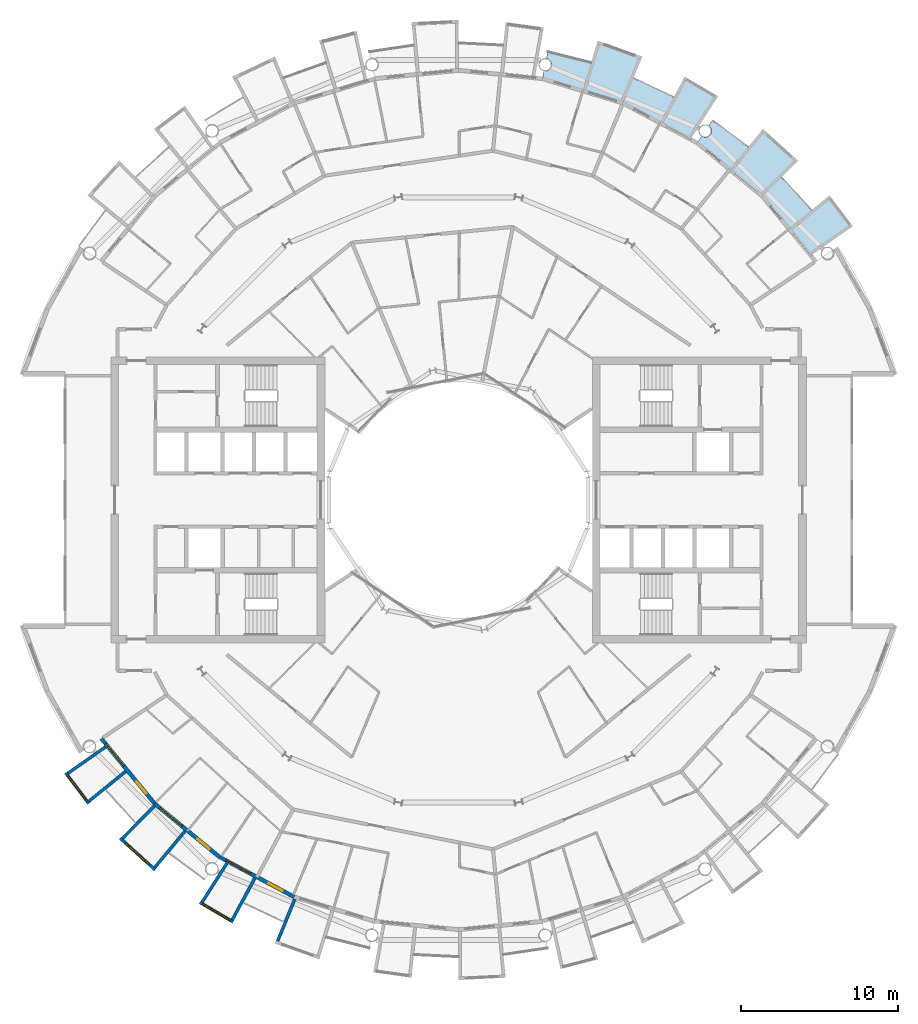
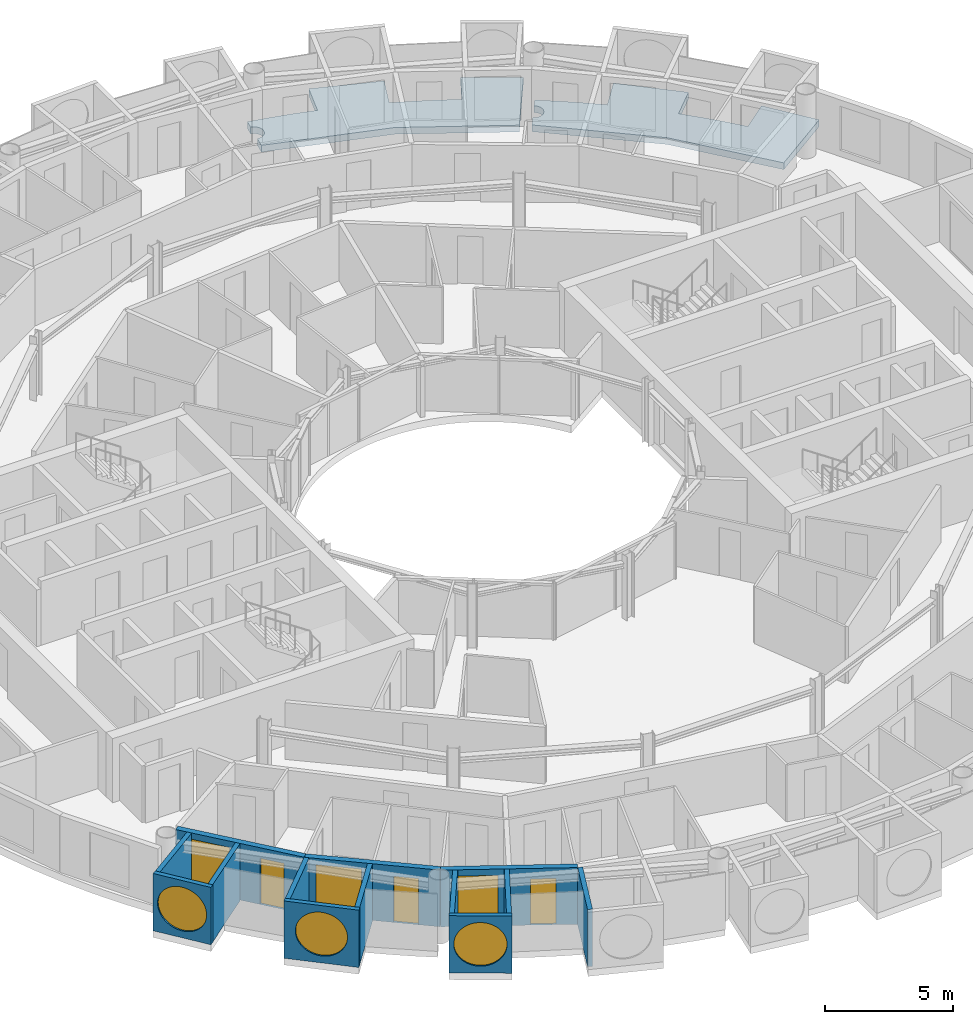
# One storey, part 13 of 27: 13 walls, 6 windows, 3 doors, 2 slabs, 9 openings.
"""IFC4 building model written with IfcOpenShell, lengths in metres."""

from ifc_helpers import new_model, si_unit, direction, frame, frame_2d, origin, place, context, subcontext, project, spatial, polyline, rectangle, circle, outline, extrude, material, layer, layer_set, type_object, element, fill, save


model = new_model("IFC4")

# Units and contexts
model_context = context("Model", 3, precision=1e-05, world=origin(), true_north=direction((0.0, 1.0)))
body_context = subcontext(model_context, "Body", "Model", "MODEL_VIEW")
ifc_project = project(units=[si_unit("LENGTHUNIT", "METRE"), si_unit("AREAUNIT", "SQUARE_METRE"), si_unit("VOLUMEUNIT", "CUBIC_METRE"), si_unit("PLANEANGLEUNIT", "RADIAN"), si_unit("MASSUNIT", "GRAM", prefix="KILO")], contexts=[model_context])

# Site, building, storey
site_placement = place(None, origin())
site = spatial("IfcSite", under=ifc_project, at=site_placement, CompositionType="ELEMENT")
building_placement = place(site_placement, origin())
building = spatial("IfcBuilding", under=site, at=building_placement, Name="Maasbend Ring Residences", CompositionType="ELEMENT")
storey_placement = place(building_placement, frame((0.0, 0.0, 145.199951171875)))
storey = spatial("IfcBuildingStorey", under=building, at=storey_placement, Name="L41", CompositionType="ELEMENT", Elevation=145.199951171875)

# Slabs
ifc_material_1 = material(Name="Concrete C40/50", Category="concrete")
ifc_layer_1 = layer(ifc_material_1, 0.199951171875)
ifc_layer_set_1 = layer_set([ifc_layer_1], Name="Concrete C40/50")
slab_type = type_object("IfcSlabType", Name="SL-LOGGIA", PredefinedType="FLOOR", material=ifc_layer_set_1)
slab_1_placement = place(storey_placement, frame((0.0, 0.0, -0.349853515625)))
element("IfcSlab", 1, at=slab_1_placement, inside=storey, type_object=slab_type, Name="Loggia floor 2", PredefinedType="FLOOR", context=body_context, shape_type="SweptSolid", body=[
    extrude(outline(polyline([(5.451904296875, 27.2548828125), (5.4619140625, 27.25390625), (5.471923828125, 27.2529296875), (5.48193359375, 27.251953125), (5.491943359375, 27.251953125), (5.501953125, 27.251953125), (5.510986328125, 27.251953125), (5.52099609375, 27.251953125), (5.531005859375, 27.2529296875), (5.541015625, 27.25390625), (5.551025390625, 27.2548828125), (5.56103515625, 27.256103515625), (5.571044921875, 27.258056640625), (5.5810546875, 27.259033203125), (5.591064453125, 27.260986328125), (5.60009765625, 27.263916015625), (5.610107421875, 27.26611328125), (5.6201171875, 27.26904296875), (5.62890625, 27.27197265625), (5.637939453125, 27.27490234375), (5.64794921875, 27.279052734375), (5.656982421875, 27.282958984375), (5.666015625, 27.285888671875), (5.675048828125, 27.291015625), (5.68408203125, 27.294921875), (5.693115234375, 27.300048828125), (5.701904296875, 27.303955078125), (5.7099609375, 27.30908203125), (5.718994140625, 27.31494140625), (5.72705078125, 27.320068359375), (5.736083984375, 27.325927734375), (5.743896484375, 27.33203125), (5.751953125, 27.337890625), (5.759033203125, 27.343994140625), (5.76708984375, 27.35009765625), (5.77392578125, 27.35693359375), (5.781982421875, 27.364013671875), (5.7890625, 27.37109375), (5.7958984375, 27.3779296875), (5.802978515625, 27.385009765625), (5.80908203125, 27.39306640625), (5.81591796875, 27.39990234375), (5.822021484375, 27.407958984375), (5.827880859375, 27.416015625), (5.833984375, 27.424072265625), (5.839111328125, 27.431884765625), (5.844970703125, 27.44091796875), (5.85009765625, 27.448974609375), (5.85498046875, 27.4580078125), (5.860107421875, 27.466064453125), (5.864990234375, 27.47509765625), (5.868896484375, 27.48388671875), (5.873046875, 27.492919921875), (5.876953125, 27.5029296875), (5.881103515625, 27.511962890625), (5.884033203125, 27.52099609375), (5.886962890625, 27.531005859375), (5.889892578125, 27.5400390625), (5.89306640625, 27.550048828125), (5.89599609375, 27.55908203125), (5.89794921875, 27.569091796875), (5.89990234375, 27.5791015625), (5.902099609375, 27.589111328125), (5.904052734375, 27.597900390625), (5.905029296875, 27.60791015625), (5.906005859375, 27.617919921875), (5.906982421875, 27.6279296875), (5.907958984375, 27.637939453125), (5.907958984375, 27.64794921875), (5.907958984375, 27.657958984375), (5.907958984375, 27.66796875), (5.907958984375, 27.677978515625), (5.906982421875, 27.68798828125), (5.906005859375, 27.697998046875), (5.905029296875, 27.7080078125), (5.904052734375, 27.718017578125), (5.902099609375, 27.72802734375), (5.89990234375, 27.737060546875), (5.89794921875, 27.7470703125), (5.89599609375, 27.757080078125), (5.89306640625, 27.76708984375), (5.889892578125, 27.77587890625), (5.886962890625, 27.785888671875), (5.884033203125, 27.794921875), (5.881103515625, 27.803955078125), (5.876953125, 27.81396484375), (5.873046875, 27.822998046875), (5.868896484375, 27.83203125), (5.864990234375, 27.841064453125), (5.860107421875, 27.85009765625), (5.85498046875, 27.85791015625), (5.85009765625, 27.866943359375), (5.844970703125, 27.8759765625), (5.839111328125, 27.884033203125), (5.833984375, 27.89208984375), (5.827880859375, 27.89990234375), (5.822021484375, 27.907958984375), (5.81591796875, 27.916015625), (5.80908203125, 27.924072265625), (5.802978515625, 27.930908203125), (5.7958984375, 27.93798828125), (5.7890625, 27.946044921875), (5.781982421875, 27.952880859375), (5.77392578125, 27.958984375), (5.76708984375, 27.966064453125), (5.759033203125, 27.971923828125), (5.751953125, 27.97900390625), (5.743896484375, 27.985107421875), (5.736083984375, 27.989990234375), (5.72705078125, 27.99609375), (5.718994140625, 28.001953125), (5.7099609375, 28.007080078125), (5.701904296875, 28.011962890625), (5.693115234375, 28.01708984375), (5.68408203125, 28.02099609375), (5.675048828125, 28.02587890625), (5.666015625, 28.030029296875), (5.656982421875, 28.033935546875), (5.64794921875, 28.037109375), (5.637939453125, 28.041015625), (5.62890625, 28.0439453125), (5.6201171875, 28.047119140625), (5.610107421875, 28.050048828125), (5.60009765625, 28.052001953125), (5.591064453125, 28.054931640625), (5.5810546875, 28.056884765625), (5.657958984375, 28.443115234375), (5.657958984375, 28.443115234375), (5.657958984375, 28.443115234375), (6.5849609375, 28.241943359375), (6.5849609375, 28.241943359375), (7.506103515625, 28.011962890625), (7.506103515625, 28.011962890625), (8.41796875, 27.7509765625), (8.41796875, 27.7509765625), (8.41796875, 27.7509765625), (8.41796875, 27.7509765625), (8.41796875, 27.7509765625), (8.41796875, 27.7509765625), (8.41796875, 27.7509765625), (8.41796875, 27.7509765625), (8.41796875, 27.7509765625), (8.41796875, 27.7509765625), (8.41796875, 27.751953125), (8.41796875, 27.751953125), (8.41796875, 27.751953125), (8.41796875, 27.751953125), (8.41796875, 27.751953125), (8.41796875, 27.751953125), (8.41796875, 27.751953125), (8.85400390625, 29.18701171875), (8.85400390625, 29.18701171875), (8.85400390625, 29.18701171875), (11.672119140625, 28.177978515625), (11.672119140625, 28.177978515625), (11.672119140625, 28.177978515625), (11.097900390625, 26.79296875), (11.097900390625, 26.79296875), (11.097900390625, 26.79296875), (11.097900390625, 26.79296875), (11.097900390625, 26.79296875), (11.097900390625, 26.79296875), (11.097900390625, 26.79296875), (11.097900390625, 26.79296875), (11.097900390625, 26.79296875), (11.097900390625, 26.79296875), (11.097900390625, 26.7919921875), (11.097900390625, 26.7919921875), (11.097900390625, 26.7919921875), (11.097900390625, 26.7919921875), (11.097900390625, 26.7919921875), (11.097900390625, 26.7919921875), (11.097900390625, 26.7919921875), (11.968994140625, 26.4150390625), (11.968994140625, 26.4150390625), (12.825927734375, 26.009033203125), (12.825927734375, 26.009033203125), (13.669921875, 25.575927734375), (13.669921875, 25.575927734375), (13.669921875, 25.575927734375), (13.669921875, 25.575927734375), (13.669921875, 25.575927734375), (13.669921875, 25.575927734375), (13.669921875, 25.575927734375), (13.669921875, 25.575927734375), (13.669921875, 25.575927734375), (13.669921875, 25.575927734375), (13.6708984375, 25.575927734375), (13.6708984375, 25.575927734375), (13.6708984375, 25.575927734375), (13.6708984375, 25.575927734375), (13.6708984375, 25.575927734375), (13.6708984375, 25.575927734375), (13.6708984375, 25.575927734375), (14.3779296875, 26.89892578125), (14.3779296875, 26.89892578125), (14.3779296875, 26.89892578125), (16.487060546875, 25.659912109375), (16.487060546875, 25.659912109375), (16.487060546875, 25.659912109375), (14.73291015625, 22.930908203125), (14.73291015625, 22.930908203125), (14.73291015625, 22.930908203125), (12.806884765625, 23.9609375), (10.447021484375, 25.221923828125), (10.447021484375, 25.221923828125), (10.447021484375, 25.221923828125), (7.886962890625, 25.9990234375), (5.325927734375, 26.77490234375), (5.325927734375, 26.77490234375), (5.325927734375, 26.77490234375), (5.422119140625, 27.259033203125), (5.431884765625, 27.258056640625), (5.44189453125, 27.256103515625), (5.451904296875, 27.2548828125)])), origin(), (0.0, 0.0, 1.0), 0.31982421875),
])
slab_2_placement = place(storey_placement, frame((0.0, 0.0, -0.349853515625)))
element("IfcSlab", 2, at=slab_2_placement, inside=storey, type_object=slab_type, Name="Loggia floor 5", PredefinedType="FLOOR", context=body_context, shape_type="SweptSolid", body=[
    extrude(outline(polyline([(15.4580078125, 23.09912109375), (15.467041015625, 23.093994140625), (15.47509765625, 23.089111328125), (15.48388671875, 23.083984375), (15.492919921875, 23.080078125), (15.501953125, 23.075927734375), (15.511962890625, 23.072021484375), (15.52099609375, 23.068115234375), (15.530029296875, 23.06494140625), (15.5400390625, 23.06103515625), (15.549072265625, 23.05810546875), (15.55908203125, 23.055908203125), (15.568115234375, 23.052978515625), (15.577880859375, 23.051025390625), (15.587890625, 23.049072265625), (15.597900390625, 23.047119140625), (15.60693359375, 23.044921875), (15.616943359375, 23.0439453125), (15.626953125, 23.04296875), (15.636962890625, 23.0419921875), (15.64697265625, 23.041015625), (15.656982421875, 23.041015625), (15.6669921875, 23.041015625), (15.677001953125, 23.041015625), (15.68701171875, 23.041015625), (15.697021484375, 23.0419921875), (15.70703125, 23.04296875), (15.717041015625, 23.0439453125), (15.72705078125, 23.044921875), (15.737060546875, 23.047119140625), (15.74609375, 23.049072265625), (15.756103515625, 23.051025390625), (15.76611328125, 23.052978515625), (15.77587890625, 23.055908203125), (15.784912109375, 23.05810546875), (15.794921875, 23.06103515625), (15.803955078125, 23.06494140625), (15.81298828125, 23.068115234375), (15.822998046875, 23.072021484375), (15.83203125, 23.075927734375), (15.841064453125, 23.080078125), (15.85009765625, 23.083984375), (15.85888671875, 23.089111328125), (15.866943359375, 23.093994140625), (15.8759765625, 23.09912109375), (15.885009765625, 23.10400390625), (15.89306640625, 23.10888671875), (15.90087890625, 23.114990234375), (15.908935546875, 23.12109375), (15.9169921875, 23.126953125), (15.925048828125, 23.133056640625), (15.93310546875, 23.139892578125), (15.93994140625, 23.14599609375), (15.947021484375, 23.153076171875), (15.955078125, 23.159912109375), (15.9619140625, 23.1669921875), (15.968017578125, 23.174072265625), (15.97509765625, 23.181884765625), (15.98095703125, 23.18994140625), (15.988037109375, 23.197021484375), (15.993896484375, 23.205078125), (15.9990234375, 23.212890625), (16.0048828125, 23.221923828125), (16.010986328125, 23.22998046875), (16.01611328125, 23.238037109375), (16.02099609375, 23.2470703125), (16.02587890625, 23.256103515625), (16.030029296875, 23.264892578125), (16.034912109375, 23.27392578125), (16.0390625, 23.282958984375), (16.04296875, 23.2919921875), (16.0458984375, 23.301025390625), (16.050048828125, 23.31005859375), (16.052978515625, 23.320068359375), (16.055908203125, 23.3291015625), (16.05908203125, 23.339111328125), (16.06103515625, 23.34912109375), (16.06396484375, 23.35791015625), (16.06591796875, 23.367919921875), (16.068115234375, 23.3779296875), (16.069091796875, 23.387939453125), (16.071044921875, 23.39794921875), (16.072021484375, 23.407958984375), (16.072021484375, 23.4169921875), (16.072998046875, 23.427001953125), (16.072998046875, 23.43701171875), (16.073974609375, 23.447021484375), (16.072998046875, 23.45703125), (16.072998046875, 23.467041015625), (16.072021484375, 23.47705078125), (16.072021484375, 23.487060546875), (16.071044921875, 23.4970703125), (16.069091796875, 23.507080078125), (16.068115234375, 23.51708984375), (16.06591796875, 23.527099609375), (16.06396484375, 23.535888671875), (16.06103515625, 23.5458984375), (16.05908203125, 23.555908203125), (16.055908203125, 23.56494140625), (16.052978515625, 23.574951171875), (16.050048828125, 23.583984375), (16.0458984375, 23.593994140625), (16.04296875, 23.60302734375), (16.0390625, 23.612060546875), (16.034912109375, 23.62109375), (16.030029296875, 23.6298828125), (16.02587890625, 23.638916015625), (16.02099609375, 23.64794921875), (16.01611328125, 23.656005859375), (16.010986328125, 23.6650390625), (16.0048828125, 23.673095703125), (15.9990234375, 23.680908203125), (15.993896484375, 23.68994140625), (15.988037109375, 23.697021484375), (15.98095703125, 23.705078125), (15.97509765625, 23.712890625), (15.968017578125, 23.719970703125), (15.9619140625, 23.72802734375), (15.955078125, 23.735107421875), (15.947021484375, 23.741943359375), (15.93994140625, 23.7490234375), (15.93310546875, 23.7548828125), (15.925048828125, 23.761962890625), (15.9169921875, 23.76806640625), (15.908935546875, 23.77392578125), (15.90087890625, 23.780029296875), (15.89306640625, 23.784912109375), (15.89306640625, 23.784912109375), (16.112060546875, 24.113037109375), (16.112060546875, 24.113037109375), (16.112060546875, 24.113037109375), (16.89208984375, 23.572998046875), (16.89208984375, 23.572998046875), (17.654052734375, 23.007080078125), (17.654052734375, 23.007080078125), (18.39697265625, 22.41796875), (18.39697265625, 22.41796875), (18.39697265625, 22.41796875), (18.39697265625, 22.41796875), (18.39697265625, 22.41796875), (18.39697265625, 22.41796875), (18.39697265625, 22.41796875), (18.39697265625, 22.41796875), (18.39697265625, 22.41796875), (18.39697265625, 22.41796875), (18.39697265625, 22.41796875), (18.39794921875, 22.41796875), (18.39794921875, 22.41796875), (18.39794921875, 22.41796875), (18.39794921875, 22.41796875), (18.39794921875, 22.41796875), (18.39794921875, 22.41796875), (19.34912109375, 23.576904296875), (19.34912109375, 23.576904296875), (19.34912109375, 23.576904296875), (21.56689453125, 21.56689453125), (21.56689453125, 21.56689453125), (21.56689453125, 21.56689453125), (20.506103515625, 20.506103515625), (20.506103515625, 20.506103515625), (20.506103515625, 20.506103515625), (20.506103515625, 20.506103515625), (20.506103515625, 20.506103515625), (20.506103515625, 20.506103515625), (20.506103515625, 20.506103515625), (20.506103515625, 20.506103515625), (20.506103515625, 20.506103515625), (20.506103515625, 20.506103515625), (20.506103515625, 20.506103515625), (20.506103515625, 20.506103515625), (20.506103515625, 20.506103515625), (20.506103515625, 20.506103515625), (20.506103515625, 20.506103515625), (20.506103515625, 20.506103515625), (20.506103515625, 20.506103515625), (21.166015625, 19.823974609375), (21.166015625, 19.823974609375), (21.802978515625, 19.12109375), (21.802978515625, 19.12109375), (22.4169921875, 18.39794921875), (22.4169921875, 18.39794921875), (22.4169921875, 18.39794921875), (22.4169921875, 18.39794921875), (22.4169921875, 18.39794921875), (22.4169921875, 18.39794921875), (22.4169921875, 18.39794921875), (22.4169921875, 18.39794921875), (22.4169921875, 18.39794921875), (22.4169921875, 18.39794921875), (22.4169921875, 18.39794921875), (22.4169921875, 18.39794921875), (22.41796875, 18.39794921875), (22.41796875, 18.39794921875), (22.41796875, 18.39794921875), (22.41796875, 18.39794921875), (22.41796875, 18.39794921875), (23.576904296875, 19.34912109375), (23.576904296875, 19.34912109375), (23.576904296875, 19.34912109375), (25.051025390625, 17.39794921875), (25.051025390625, 17.39794921875), (25.051025390625, 17.39794921875), (22.386962890625, 15.547119140625), (22.386962890625, 15.547119140625), (22.386962890625, 15.547119140625), (21.001953125, 17.236083984375), (19.303955078125, 19.303955078125), (19.303955078125, 19.303955078125), (19.303955078125, 19.303955078125), (17.236083984375, 21.001953125), (15.1669921875, 22.698974609375), (15.1669921875, 22.698974609375), (15.1669921875, 22.698974609375), (15.44091796875, 23.10888671875), (15.44091796875, 23.10888671875), (15.449951171875, 23.10400390625), (15.4580078125, 23.09912109375)])), origin(), (0.0, 0.0, 1.0), 0.31982421875),
])

# Wall, opening, window
ifc_material_2 = material(Name="Pale anodised aluminium panel", Category="aluminium")
ifc_layer_2 = layer(ifc_material_2, 0.199951171875)
ifc_layer_set_2 = layer_set([ifc_layer_2], Name="EW-BOX")
wall_type_1 = type_object("IfcWallType", Name="EW-BOX", PredefinedType="SOLIDWALL", material=ifc_layer_set_2)
wall_1_placement = place(storey_placement, frame((-24.971923828125, -17.3369140625, -0.030029296875), z_axis=(0.0, 0.0, 1.0), x_axis=(0.602806268067, -0.797887588059, 0.0)))
wall_1 = element("IfcWall", 3, at=wall_1_placement, inside=storey, type_object=wall_type_1, Name="Box front S01", PredefinedType="SOLIDWALL", context=body_context, shape_type="SweptSolid", body=[
    extrude(rectangle(XDim=2.446533203125, YDim=0.199951171875, at=frame_2d((1.22314453125, 0.0))), origin(), (0.0, 0.0, 1.0), 2.72998046875),
])
opening_1_placement = place(wall_1_placement, frame((0.182861328125, 0.0, 0.330078125)))
opening_1 = element("IfcOpeningElement", 4, at=opening_1_placement, cuts=wall_1, Name="Opening W-RD", PredefinedType="OPENING", context=body_context, shape_type="SweptSolid", body=[
    extrude(circle(Radius=1.0400390625, at=frame_2d((1.0400390625, 1.0400390625))), frame((0.0, 0.10986328125, 0.0), z_axis=(0.0, -1.0, 0.0), x_axis=(1.0, 0.0, 0.0)), (0.0, 0.0, 1.0), 0.219970703125),
])
ifc_material_3 = material(Name="Aluminium and clear glass", Category="aluminium")
window_type_1 = type_object("IfcWindowType", Name="W-RD", PartitioningType="SINGLE_PANEL", PredefinedType="WINDOW", material=ifc_material_3)
window_1_placement = place(opening_1_placement, origin())
window_1 = element("IfcWindow", 5, at=window_1_placement, inside=storey, type_object=window_type_1, Name="Round window S01", OverallHeight=2.080078125, OverallWidth=2.080078125, PartitioningType="SINGLE_PANEL", PredefinedType="WINDOW", context=body_context, shape_type="SweptSolid", body=[
    extrude(circle(Radius=1.0400390625, at=frame_2d((1.0400390625, 1.0400390625))), frame((0.0, 0.030029296875, 0.0), z_axis=(0.0, -1.0, 0.0), x_axis=(1.0, 0.0, 0.0)), (0.0, 0.0, 1.0), 0.06005859375),
])
fill(opening_1, window_1)

# Walls
wall_2_placement = place(storey_placement, frame((-22.43310546875, -15.68798828125, -0.030029296875), z_axis=(0.0, 0.0, 1.0), x_axis=(-0.819373043115, -0.573260687834, 0.0)))
element("IfcWall", 6, at=wall_2_placement, inside=storey, type_object=wall_type_1, Name="Box side wall S01 left", PredefinedType="SOLIDWALL", context=body_context, shape_type="SweptSolid", body=[
    extrude(rectangle(XDim=2.92529296875, YDim=0.199951171875, at=frame_2d((1.462646484375, 0.0))), origin(), (0.0, 0.0, 1.0), 2.72998046875),
])
wall_3_placement = place(storey_placement, frame((-21.155029296875, -17.24609375, -0.030029296875), z_axis=(0.0, 0.0, 1.0), x_axis=(-0.775179004516, -0.631741648902, 0.0)))
element("IfcWall", 7, at=wall_3_placement, inside=storey, type_object=wall_type_1, Name="Box side wall S01 right", PredefinedType="SOLIDWALL", context=body_context, shape_type="SweptSolid", body=[
    extrude(rectangle(XDim=3.005859375, YDim=0.199951171875, at=frame_2d((1.5029296875, 0.0))), origin(), (0.0, 0.0, 1.0), 2.72998046875),
])

# Wall, opening, window
wall_4_placement = place(storey_placement, frame((-21.5, -21.492919921875, -0.030029296875), z_axis=(0.0, 0.0, 1.0), x_axis=(0.740998365753, -0.671506829416, 0.0)))
wall_4 = element("IfcWall", 8, at=wall_4_placement, inside=storey, type_object=wall_type_1, Name="Box front S03", PredefinedType="SOLIDWALL", context=body_context, shape_type="SweptSolid", body=[
    extrude(rectangle(XDim=2.9931640625, YDim=0.199951171875, at=frame_2d((1.49658203125, 0.0))), origin(), (0.0, 0.0, 1.0), 2.72998046875),
])
opening_2_placement = place(wall_4_placement, frame((0.45654296875, 0.0, 0.330078125)))
opening_2 = element("IfcOpeningElement", 9, at=opening_2_placement, cuts=wall_4, Name="Opening W-RD", PredefinedType="OPENING", context=body_context, shape_type="SweptSolid", body=[
    extrude(circle(Radius=1.0400390625, at=frame_2d((1.0400390625, 1.0400390625))), frame((0.0, 0.10986328125, 0.0), z_axis=(0.0, -1.0, 0.0), x_axis=(1.0, 0.0, 0.0)), (0.0, 0.0, 1.0), 0.219970703125),
])
window_2_placement = place(opening_2_placement, origin())
window_2 = element("IfcWindow", 10, at=window_2_placement, inside=storey, type_object=window_type_1, Name="Round window S03", OverallHeight=2.080078125, OverallWidth=2.080078125, PartitioningType="SINGLE_PANEL", PredefinedType="WINDOW", context=body_context, shape_type="SweptSolid", body=[
    extrude(circle(Radius=1.0400390625, at=frame_2d((1.0400390625, 1.0400390625))), frame((0.0, 0.030029296875, 0.0), z_axis=(0.0, -1.0, 0.0), x_axis=(1.0, 0.0, 0.0)), (0.0, 0.0, 1.0), 0.06005859375),
])
fill(opening_2, window_2)

# Walls
wall_5_placement = place(storey_placement, frame((-19.322998046875, -19.449951171875, -0.030029296875), z_axis=(0.0, 0.0, 1.0), x_axis=(-0.704476739375, -0.709727076896, 0.0)))
element("IfcWall", 11, at=wall_5_placement, inside=storey, type_object=wall_type_1, Name="Box side wall S03 left", PredefinedType="SOLIDWALL", context=body_context, shape_type="SweptSolid", body=[
    extrude(rectangle(XDim=2.883056640625, YDim=0.199951171875, at=frame_2d((1.44140625, 0.0))), origin(), (0.0, 0.0, 1.0), 2.72998046875),
])
wall_6_placement = place(storey_placement, frame((-17.384033203125, -21.041015625, -0.030029296875), z_axis=(0.0, 0.0, 1.0), x_axis=(-0.63709551667, -0.770784861449, 0.0)))
element("IfcWall", 12, at=wall_6_placement, inside=storey, type_object=wall_type_1, Name="Box side wall S03 right", PredefinedType="SOLIDWALL", context=body_context, shape_type="SweptSolid", body=[
    extrude(rectangle(XDim=3.005859375, YDim=0.199951171875, at=frame_2d((1.5029296875, 0.0))), origin(), (0.0, 0.0, 1.0), 2.72998046875),
])

# Wall, opening, window
wall_7_placement = place(storey_placement, frame((-16.43603515625, -25.573974609375, -0.030029296875), z_axis=(0.0, 0.0, 1.0), x_axis=(0.862403467503, -0.506221551535, 0.0)))
wall_7 = element("IfcWall", 13, at=wall_7_placement, inside=storey, type_object=wall_type_1, Name="Box front S05", PredefinedType="SOLIDWALL", context=body_context, shape_type="SweptSolid", body=[
    extrude(rectangle(XDim=2.445556640625, YDim=0.199951171875, at=frame_2d((1.22265625, 0.0))), origin(), (0.0, 0.0, 1.0), 2.72998046875),
])
opening_3_placement = place(wall_7_placement, frame((0.182861328125, 0.0, 0.330078125)))
opening_3 = element("IfcOpeningElement", 14, at=opening_3_placement, cuts=wall_7, Name="Opening W-RD", PredefinedType="OPENING", context=body_context, shape_type="SweptSolid", body=[
    extrude(circle(Radius=1.0400390625, at=frame_2d((1.0400390625, 1.0400390625))), frame((0.0, 0.10986328125, 0.0), z_axis=(0.0, -1.0, 0.0), x_axis=(1.0, 0.0, 0.0)), (0.0, 0.0, 1.0), 0.219970703125),
])
window_3_placement = place(opening_3_placement, origin())
window_3 = element("IfcWindow", 15, at=window_3_placement, inside=storey, type_object=window_type_1, Name="Round window S05", OverallHeight=2.080078125, OverallWidth=2.080078125, PartitioningType="SINGLE_PANEL", PredefinedType="WINDOW", context=body_context, shape_type="SweptSolid", body=[
    extrude(circle(Radius=1.0400390625, at=frame_2d((1.0400390625, 1.0400390625))), frame((0.0, 0.030029296875, 0.0), z_axis=(0.0, -1.0, 0.0), x_axis=(1.0, 0.0, 0.0)), (0.0, 0.0, 1.0), 0.06005859375),
])
fill(opening_3, window_3)

# Walls
wall_8_placement = place(storey_placement, frame((-14.721923828125, -23.0791015625, -0.030029296875), z_axis=(0.0, 0.0, 1.0), x_axis=(-0.537572179146, -0.843217737129, 0.0)))
element("IfcWall", 16, at=wall_8_placement, inside=storey, type_object=wall_type_1, Name="Box side wall S05 left", PredefinedType="SOLIDWALL", context=body_context, shape_type="SweptSolid", body=[
    extrude(rectangle(XDim=2.92431640625, YDim=0.199951171875, at=frame_2d((1.462158203125, 0.0))), origin(), (0.0, 0.0, 1.0), 2.72998046875),
])
wall_9_placement = place(storey_placement, frame((-12.945068359375, -24.029052734375, -0.030029296875), z_axis=(0.0, 0.0, 1.0), x_axis=(-0.474424310775, -0.88029629861, 0.0)))
element("IfcWall", 17, at=wall_9_placement, inside=storey, type_object=wall_type_1, Name="Box side wall S05 right", PredefinedType="SOLIDWALL", context=body_context, shape_type="SweptSolid", body=[
    extrude(rectangle(XDim=3.005859375, YDim=0.199951171875, at=frame_2d((1.5029296875, 0.0))), origin(), (0.0, 0.0, 1.0), 2.72998046875),
])
wall_10_placement = place(storey_placement, frame((-10.408935546875, -25.364013671875, -0.030029296875), z_axis=(0.0, 0.0, 1.0), x_axis=(-0.379509886562, -0.925187681501, 0.0)))
element("IfcWall", 18, at=wall_10_placement, inside=storey, type_object=wall_type_1, Name="Box side wall S07 left", PredefinedType="SOLIDWALL", context=body_context, shape_type="SweptSolid", body=[
    extrude(rectangle(XDim=2.882568359375, YDim=0.199951171875, at=frame_2d((1.44140625, 0.0))), origin(), (0.0, 0.0, 1.0), 2.72998046875),
])

# Wall, openings, door, window
ifc_material_4 = material(Name="Aluminium clad insulated panel", Category="aluminium")
ifc_layer_3 = layer(ifc_material_4, 0.25)
ifc_layer_set_3 = layer_set([ifc_layer_3], Name="EW-GL")
wall_type_2 = type_object("IfcWallType", Name="EW-GL", PredefinedType="SOLIDWALL", material=ifc_layer_set_3)
wall_11_placement = place(storey_placement, frame((-22.698974609375, -15.1669921875, 0.0), z_axis=(0.0, 0.0, 1.0), x_axis=(0.634382322723, -0.773019449054, 0.0)))
wall_11 = element("IfcWall", 19, at=wall_11_placement, inside=storey, type_object=wall_type_2, Name="External wall S01", PredefinedType="SOLIDWALL", context=body_context, shape_type="SweptSolid", body=[
    extrude(rectangle(XDim=5.351806640625, YDim=0.25, at=frame_2d((2.67578125, 0.0))), origin(), (0.0, 0.0, 1.0), 2.699951171875),
])
opening_4_placement = place(wall_11_placement, frame((0.441162109375, 0.0, 0.300048828125)))
opening_4 = element("IfcOpeningElement", 20, at=opening_4_placement, cuts=wall_11, Name="Opening W-BX", PredefinedType="OPENING", context=body_context, shape_type="SweptSolid", body=[
    extrude(rectangle(XDim=1.800048828125, YDim=2.10009765625, at=frame_2d((0.89990234375, 1.050048828125))), frame((0.0, 0.135009765625, 0.0), z_axis=(0.0, -1.0, 0.0), x_axis=(1.0, 0.0, 0.0)), (0.0, 0.0, 1.0), 0.27001953125),
])
opening_5_placement = place(wall_11_placement, frame((3.510498046875, 0.0, 0.0)))
opening_5 = element("IfcOpeningElement", 21, at=opening_5_placement, cuts=wall_11, Name="Opening D-LG", PredefinedType="OPENING", context=body_context, shape_type="SweptSolid", body=[
    extrude(rectangle(XDim=1.0, YDim=2.199951171875, at=frame_2d((0.5, 1.10009765625))), frame((0.0, 0.135009765625, 0.0), z_axis=(0.0, -1.0, 0.0), x_axis=(1.0, 0.0, 0.0)), (0.0, 0.0, 1.0), 0.27001953125),
])
ifc_material_5 = material(Name="Aluminium and clear glass", Category="aluminium")
door_type = type_object("IfcDoorType", Name="D-LG", OperationType="SINGLE_SWING_LEFT", PredefinedType="DOOR", material=ifc_material_5)
door_1_placement = place(opening_5_placement, origin())
door_1 = element("IfcDoor", 22, at=door_1_placement, inside=storey, type_object=door_type, Name="Loggia door S02", OperationType="SINGLE_SWING_LEFT", OverallHeight=2.199951171875, OverallWidth=1.0, PredefinedType="DOOR", context=body_context, shape_type="SweptSolid", body=[
    extrude(rectangle(XDim=1.0, YDim=2.199951171875, at=frame_2d((0.5, 1.10009765625))), frame((0.0, 0.02490234375, 0.0), z_axis=(0.0, -1.0, 0.0), x_axis=(1.0, 0.0, 0.0)), (0.0, 0.0, 1.0), 0.050048828125),
])
fill(opening_5, door_1)
ifc_material_6 = material(Name="Aluminium and clear glass", Category="aluminium")
window_type_2 = type_object("IfcWindowType", Name="W-BX", PartitioningType="DOUBLE_PANEL_VERTICAL", PredefinedType="WINDOW", material=ifc_material_6)
window_4_placement = place(opening_4_placement, origin())
window_4 = element("IfcWindow", 23, at=window_4_placement, inside=storey, type_object=window_type_2, Name="Window S01 room to box", OverallHeight=2.10009765625, OverallWidth=1.800048828125, PartitioningType="SINGLE_PANEL", PredefinedType="WINDOW", context=body_context, shape_type="SweptSolid", body=[
    extrude(rectangle(XDim=1.800048828125, YDim=2.10009765625, at=frame_2d((0.89990234375, 1.050048828125))), frame((0.0, 0.030029296875, 0.0), z_axis=(0.0, -1.0, 0.0), x_axis=(1.0, 0.0, 0.0)), (0.0, 0.0, 1.0), 0.06005859375),
])
fill(opening_4, window_4)

wall_12_placement = place(storey_placement, frame((-19.303955078125, -19.303955078125, 0.0), z_axis=(0.0, 0.0, 1.0), x_axis=(0.773019449054, -0.634382322723, 0.0)))
wall_12 = element("IfcWall", 24, at=wall_12_placement, inside=storey, type_object=wall_type_2, Name="External wall S02", PredefinedType="SOLIDWALL", context=body_context, shape_type="SweptSolid", body=[
    extrude(rectangle(XDim=5.351806640625, YDim=0.25, at=frame_2d((2.67578125, 0.0))), origin(), (0.0, 0.0, 1.0), 2.699951171875),
])
opening_6_placement = place(wall_12_placement, frame((0.441162109375, 0.0, 0.300048828125)))
opening_6 = element("IfcOpeningElement", 25, at=opening_6_placement, cuts=wall_12, Name="Opening W-BX", PredefinedType="OPENING", context=body_context, shape_type="SweptSolid", body=[
    extrude(rectangle(XDim=1.800048828125, YDim=2.10009765625, at=frame_2d((0.89990234375, 1.050048828125))), frame((0.0, 0.135009765625, 0.0), z_axis=(0.0, -1.0, 0.0), x_axis=(1.0, 0.0, 0.0)), (0.0, 0.0, 1.0), 0.27001953125),
])
opening_7_placement = place(wall_12_placement, frame((3.510498046875, 0.0, 0.0)))
opening_7 = element("IfcOpeningElement", 26, at=opening_7_placement, cuts=wall_12, Name="Opening D-LG", PredefinedType="OPENING", context=body_context, shape_type="SweptSolid", body=[
    extrude(rectangle(XDim=1.0, YDim=2.199951171875, at=frame_2d((0.5, 1.10009765625))), frame((0.0, 0.135009765625, 0.0), z_axis=(0.0, -1.0, 0.0), x_axis=(1.0, 0.0, 0.0)), (0.0, 0.0, 1.0), 0.27001953125),
])
door_2_placement = place(opening_7_placement, origin())
door_2 = element("IfcDoor", 27, at=door_2_placement, inside=storey, type_object=door_type, Name="Loggia door S04", OperationType="SINGLE_SWING_LEFT", OverallHeight=2.199951171875, OverallWidth=1.0, PredefinedType="DOOR", context=body_context, shape_type="SweptSolid", body=[
    extrude(rectangle(XDim=1.0, YDim=2.199951171875, at=frame_2d((0.5, 1.10009765625))), frame((0.0, 0.02490234375, 0.0), z_axis=(0.0, -1.0, 0.0), x_axis=(1.0, 0.0, 0.0)), (0.0, 0.0, 1.0), 0.050048828125),
])
fill(opening_7, door_2)
window_5_placement = place(opening_6_placement, origin())
window_5 = element("IfcWindow", 28, at=window_5_placement, inside=storey, type_object=window_type_2, Name="Window S03 room to box", OverallHeight=2.10009765625, OverallWidth=1.800048828125, PartitioningType="SINGLE_PANEL", PredefinedType="WINDOW", context=body_context, shape_type="SweptSolid", body=[
    extrude(rectangle(XDim=1.800048828125, YDim=2.10009765625, at=frame_2d((0.89990234375, 1.050048828125))), frame((0.0, 0.030029296875, 0.0), z_axis=(0.0, -1.0, 0.0), x_axis=(1.0, 0.0, 0.0)), (0.0, 0.0, 1.0), 0.06005859375),
])
fill(opening_6, window_5)

wall_13_placement = place(storey_placement, frame((-15.1669921875, -22.698974609375, 0.0), z_axis=(0.0, 0.0, 1.0), x_axis=(0.881915646801, -0.471407246368, 0.0)))
wall_13 = element("IfcWall", 29, at=wall_13_placement, inside=storey, type_object=wall_type_2, Name="External wall S03", PredefinedType="SOLIDWALL", context=body_context, shape_type="SweptSolid", body=[
    extrude(rectangle(XDim=5.35205078125, YDim=0.25, at=frame_2d((2.676025390625, 0.0))), origin(), (0.0, 0.0, 1.0), 2.699951171875),
])
opening_8_placement = place(wall_13_placement, frame((0.441162109375, 0.0, 0.300048828125)))
opening_8 = element("IfcOpeningElement", 30, at=opening_8_placement, cuts=wall_13, Name="Opening W-BX", PredefinedType="OPENING", context=body_context, shape_type="SweptSolid", body=[
    extrude(rectangle(XDim=1.800048828125, YDim=2.10009765625, at=frame_2d((0.89990234375, 1.050048828125))), frame((0.0, 0.135009765625, 0.0), z_axis=(0.0, -1.0, 0.0), x_axis=(1.0, 0.0, 0.0)), (0.0, 0.0, 1.0), 0.27001953125),
])
opening_9_placement = place(wall_13_placement, frame((3.510498046875, 0.0, 0.0)))
opening_9 = element("IfcOpeningElement", 31, at=opening_9_placement, cuts=wall_13, Name="Opening D-LG", PredefinedType="OPENING", context=body_context, shape_type="SweptSolid", body=[
    extrude(rectangle(XDim=1.0, YDim=2.199951171875, at=frame_2d((0.5, 1.10009765625))), frame((0.0, 0.135009765625, 0.0), z_axis=(0.0, -1.0, 0.0), x_axis=(1.0, 0.0, 0.0)), (0.0, 0.0, 1.0), 0.27001953125),
])
door_3_placement = place(opening_9_placement, origin())
door_3 = element("IfcDoor", 32, at=door_3_placement, inside=storey, type_object=door_type, Name="Loggia door S06", OperationType="SINGLE_SWING_LEFT", OverallHeight=2.199951171875, OverallWidth=1.0, PredefinedType="DOOR", context=body_context, shape_type="SweptSolid", body=[
    extrude(rectangle(XDim=1.0, YDim=2.199951171875, at=frame_2d((0.5, 1.10009765625))), frame((0.0, 0.02490234375, 0.0), z_axis=(0.0, -1.0, 0.0), x_axis=(1.0, 0.0, 0.0)), (0.0, 0.0, 1.0), 0.050048828125),
])
fill(opening_9, door_3)
window_6_placement = place(opening_8_placement, origin())
window_6 = element("IfcWindow", 33, at=window_6_placement, inside=storey, type_object=window_type_2, Name="Window S05 room to box", OverallHeight=2.10009765625, OverallWidth=1.800048828125, PartitioningType="SINGLE_PANEL", PredefinedType="WINDOW", context=body_context, shape_type="SweptSolid", body=[
    extrude(rectangle(XDim=1.800048828125, YDim=2.10009765625, at=frame_2d((0.89990234375, 1.050048828125))), frame((0.0, 0.030029296875, 0.0), z_axis=(0.0, -1.0, 0.0), x_axis=(1.0, 0.0, 0.0)), (0.0, 0.0, 1.0), 0.06005859375),
])
fill(opening_8, window_6)

save(model, "model.ifc")
